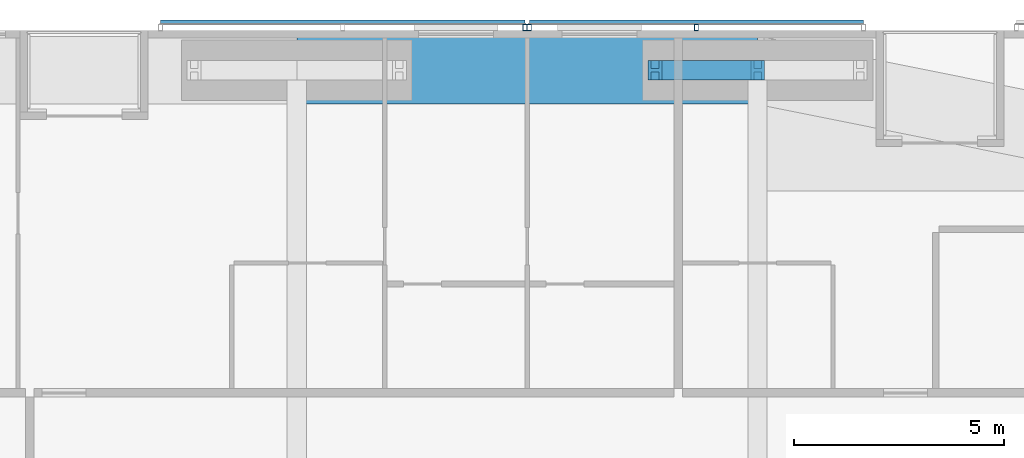
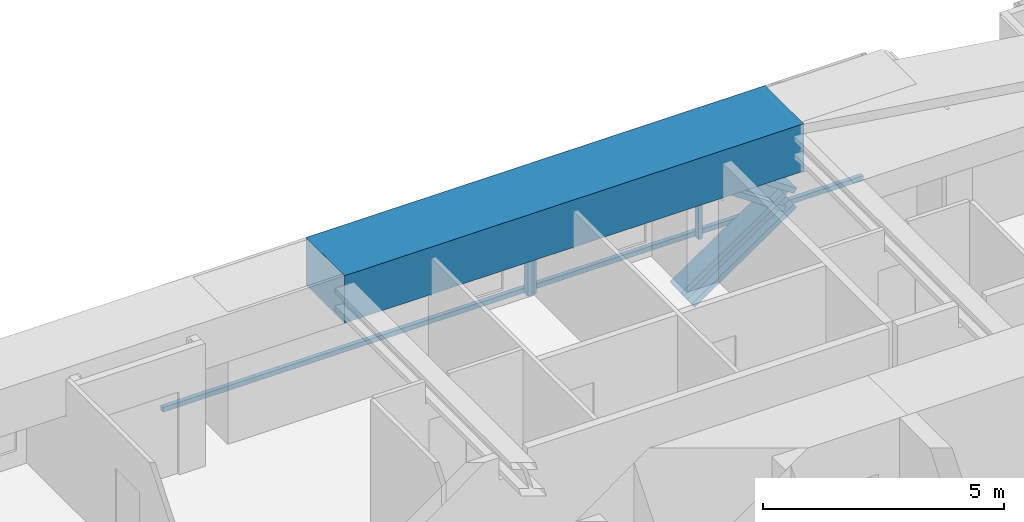
# One storey, part 14 of 24: 7 members, 1 beam, 2 elements without a shape of their own.
"""IFC4 building model written with IfcOpenShell, lengths in metres."""

from ifc_helpers import new_model, si_unit, direction, frame, origin, origin_2d, place, context, subcontext, project, spatial, rectangle, hollow_rectangle, i_section, extrude, material, material_profile, profile_set, type_object, element, aggregate, save


model = new_model("IFC4")

# Units and contexts
model_context = context("Model", 3, precision=1e-05, world=origin(), true_north=direction((0.0, 1.0)))
body_context = subcontext(model_context, "Body", "Model", "MODEL_VIEW")
ifc_project = project(units=[si_unit("LENGTHUNIT", "METRE"), si_unit("AREAUNIT", "SQUARE_METRE"), si_unit("VOLUMEUNIT", "CUBIC_METRE"), si_unit("PLANEANGLEUNIT", "RADIAN"), si_unit("MASSUNIT", "GRAM", prefix="KILO")], contexts=[model_context])

# Site, building, storey
site_placement = place(None, origin())
site = spatial("IfcSite", under=ifc_project, at=site_placement, CompositionType="ELEMENT")
building_placement = place(site_placement, origin())
building = spatial("IfcBuilding", under=site, at=building_placement, Name="Jalousie Tower", CompositionType="ELEMENT")
storey_placement = place(building_placement, frame((0.0, 0.0, 61.199951171875)))
storey = spatial("IfcBuildingStorey", under=building, at=storey_placement, Name="L16", CompositionType="ELEMENT", Elevation=61.199951171875)

# Members
ifc_material_1 = material(Name="Steel ASTM A992 Grade 50", Category="steel")
ifc_material_profile_1 = material_profile(ifc_material_1, i_section(OverallWidth=0.472412109375, OverallDepth=0.5791015625, WebThickness=0.094970703125, FlangeThickness=0.1298828125, at=origin_2d()), Name="W14X808")
ifc_profile_set_1 = profile_set([ifc_material_profile_1], Name="Steel ASTM A992 Grade 50")
member_type_1 = type_object("IfcMemberType", Name="PERIMETER BRACE W14X808", PredefinedType="BRACE", material=ifc_profile_set_1)
for number, where, z_axis, x_axis, name in (
    (1, (32.550048828125, 37.050048828125, -0.599853515625), (0.825539243753, 0.0, 0.564344714713), (0.0, 1.0, 0.0), "Perimeter brace 09 L16 part 1"),
    (2, (35.0, 37.050048828125, 1.074951171875), (-0.825500916831, 0.0, 0.564400776321), (0.0, -1.0, 0.0), "Perimeter brace 09 L16 part 4"),
):
    element("IfcMember", number, at=place(storey_placement, frame(where, z_axis=z_axis, x_axis=x_axis)), inside=storey, type_object=member_type_1, Name=name, PredefinedType="BRACE", context=body_context, shape_type="SweptSolid", body=[
        extrude(i_section(OverallWidth=0.472412109375, OverallDepth=0.5791015625, WebThickness=0.094970703125, FlangeThickness=0.1298828125, at=origin_2d()), origin(), (0.0, 0.0, 1.0), 2.9677734375),
    ])

# Beam
ifc_material_2 = material(Name="Concrete f'c 40 MPa", Category="concrete")
ifc_material_profile_2 = material_profile(ifc_material_2, rectangle(XDim=1.60009765625, YDim=1.199951171875, at=origin_2d()), Name="RC 1600x1200")
ifc_profile_set_2 = profile_set([ifc_material_profile_2], Name="Concrete f'c 40 MPa")
beam_type = type_object("IfcBeamType", Name="RC BEAM 1600x1200", PredefinedType="BEAM", material=ifc_profile_set_2)
beam_placement = place(storey_placement, frame((35.0, 37.050048828125, 2.75), z_axis=(-1.0, 0.0, 0.0), x_axis=(0.0, -1.0, 0.0)))
element("IfcBeam", 3, at=beam_placement, inside=storey, type_object=beam_type, Name="Edge band beam 09-10 under L17", PredefinedType="BEAM", context=body_context, shape_type="SweptSolid", body=[
    extrude(rectangle(XDim=1.60009765625, YDim=1.199951171875, at=origin_2d()), origin(), (0.0, 0.0, 1.0), 11.0),
])

# Curtain wall, members
ifc_material_3 = material(Name="Perforated aluminium sheet", Category="aluminium")
curtain_wall_type = type_object("IfcCurtainWallType", Name="SOLAR SCREEN SS-1", PredefinedType="USERDEFINED", material=ifc_material_3)
curtain_wall_1_placement = place(storey_placement, origin())
curtain_wall_1 = element("IfcCurtainWall", 4, at=curtain_wall_1_placement, inside=storey, type_object=curtain_wall_type, Name="Solar screen L16", ObjectType="SOLAR SCREEN SS-1", PredefinedType="USERDEFINED")
ifc_material_4 = material(Name="Steel ASTM A500 Grade C", Category="steel")
ifc_material_profile_3 = material_profile(ifc_material_4, hollow_rectangle(XDim=0.1015625, YDim=0.15234375, WallThickness=0.00634765625, at=origin_2d()), Name="HSS6X4X1/4")
ifc_profile_set_3 = profile_set([ifc_material_profile_3], Name="Steel ASTM A500 Grade C")
member_type_2 = type_object("IfcMemberType", Name="SOLAR SCREEN SS-1 MULLION", PredefinedType="MULLION", material=ifc_profile_set_3)
member_1_placement = place(storey_placement, frame((33.536865234375, 38.0712890625, -0.119873046875), z_axis=(0.0, 0.0, 1.0), x_axis=(-1.0, 0.0, 0.0)))
member_1 = element("IfcMember", 5, at=member_1_placement, type_object=member_type_2, Name="SS1 post 2", PredefinedType="MULLION", context=body_context, shape_type="SweptSolid", body=[
    extrude(hollow_rectangle(XDim=0.1015625, YDim=0.15234375, WallThickness=0.00634765625, at=origin_2d()), origin(), (0.0, 0.0, 1.0), 3.22998046875),
])
member_2_placement = place(storey_placement, frame((29.550048828125, 38.0712890625, -0.119873046875), z_axis=(0.0, 0.0, 1.0), x_axis=(-1.0, 0.0, 0.0)))
member_2 = element("IfcMember", 6, at=member_2_placement, type_object=member_type_2, Name="SS1 post 3", PredefinedType="MULLION", context=body_context, shape_type="SweptSolid", body=[
    extrude(hollow_rectangle(XDim=0.1015625, YDim=0.15234375, WallThickness=0.00634765625, at=origin_2d()), origin(), (0.0, 0.0, 1.0), 3.22998046875),
])

# Curtain wall, member
curtain_wall_2_placement = place(storey_placement, origin())
curtain_wall_2 = element("IfcCurtainWall", 7, at=curtain_wall_2_placement, inside=storey, type_object=curtain_wall_type, Name="Solar screen L16", ObjectType="SOLAR SCREEN SS-1", PredefinedType="USERDEFINED")
member_3_placement = place(storey_placement, frame((29.449951171875, 38.0712890625, -0.119873046875), z_axis=(0.0, 0.0, 1.0), x_axis=(-1.0, 0.0, 0.0)))
member_3 = element("IfcMember", 8, at=member_3_placement, type_object=member_type_2, Name="SS1 post 1", PredefinedType="MULLION", context=body_context, shape_type="SweptSolid", body=[
    extrude(hollow_rectangle(XDim=0.1015625, YDim=0.15234375, WallThickness=0.00634765625, at=origin_2d()), origin(), (0.0, 0.0, 1.0), 3.22998046875),
])

# Member
ifc_material_5 = material(Name="Extruded aluminium screen rail", Category="aluminium")
ifc_material_profile_4 = material_profile(ifc_material_5, rectangle(XDim=0.1015625, YDim=0.1201171875, at=origin_2d()), Name="RAIL 102x120")
ifc_profile_set_4 = profile_set([ifc_material_profile_4], Name="Extruded aluminium screen rail")
member_type_3 = type_object("IfcMemberType", Name="SOLAR SCREEN SS-1 TRANSOM", PredefinedType="USERDEFINED", material=ifc_profile_set_4)
member_4_placement = place(storey_placement, frame((37.523681640625, 38.1982421875, -0.06005859375), z_axis=(-1.0, 0.0, 0.0), x_axis=(0.0, -1.0, 0.0)))
member_4 = element("IfcMember", 9, at=member_4_placement, type_object=member_type_3, Name="SS1 rail", ObjectType="TRANSOM", PredefinedType="USERDEFINED", context=body_context, shape_type="SweptSolid", body=[
    extrude(rectangle(XDim=0.1015625, YDim=0.1201171875, at=origin_2d()), origin(), (0.0, 0.0, 1.0), 7.9736328125),
])

aggregate(curtain_wall_1, [member_1, member_2, member_4])

member_5_placement = place(storey_placement, frame((29.449951171875, 38.1982421875, -0.06005859375), z_axis=(-1.0, 0.0, 0.0), x_axis=(0.0, -1.0, 0.0)))
member_5 = element("IfcMember", 10, at=member_5_placement, type_object=member_type_3, Name="SS1 rail", ObjectType="TRANSOM", PredefinedType="USERDEFINED", context=body_context, shape_type="SweptSolid", body=[
    extrude(rectangle(XDim=0.1015625, YDim=0.1201171875, at=origin_2d()), origin(), (0.0, 0.0, 1.0), 8.699951171875),
])

aggregate(curtain_wall_2, [member_3, member_5])

save(model, "model.ifc")
